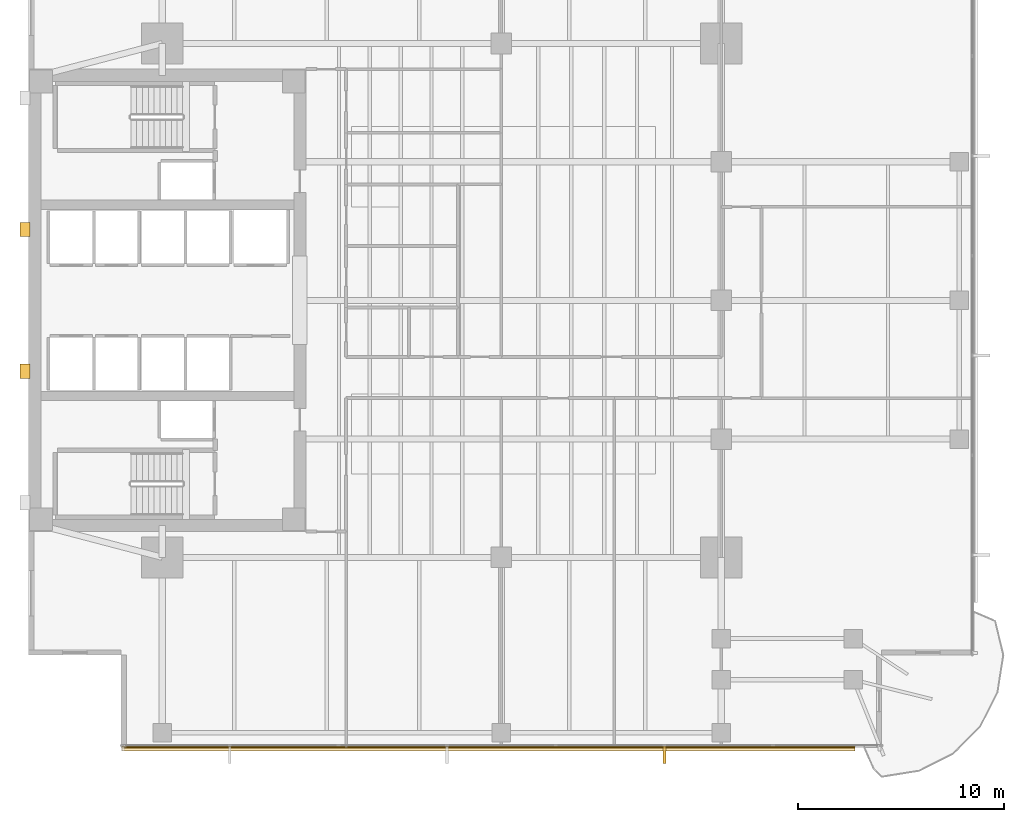
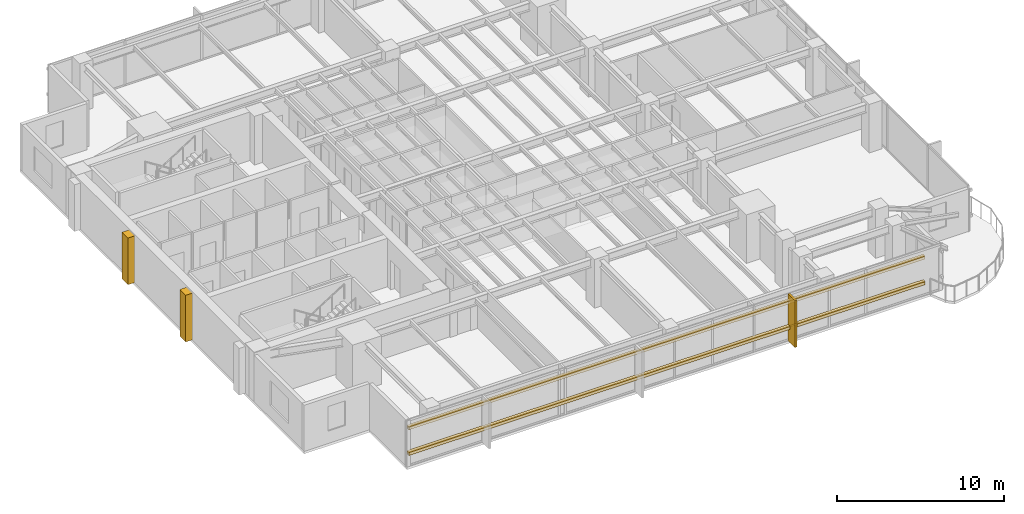
# One storey, part 12 of 15: 5 coverings, 2 shading devices.
"""IFC4 building model written with IfcOpenShell, lengths in metres."""

from ifc_helpers import new_model, si_unit, direction, frame, origin, origin_2d, place, context, subcontext, project, spatial, polyline, rectangle, outline, extrude, material, layer, layer_set, material_profile, profile_set, type_object, element, save


model = new_model("IFC4")

# Units and contexts
model_context = context("Model", 3, precision=1e-05, world=origin(), true_north=direction((0.0, 1.0)))
body_context = subcontext(model_context, "Body", "Model", "MODEL_VIEW")
ifc_project = project(units=[si_unit("LENGTHUNIT", "METRE"), si_unit("AREAUNIT", "SQUARE_METRE"), si_unit("VOLUMEUNIT", "CUBIC_METRE"), si_unit("PLANEANGLEUNIT", "RADIAN"), si_unit("MASSUNIT", "GRAM", prefix="KILO")], contexts=[model_context])

# Site, building, storey
site_placement = place(None, origin())
site = spatial("IfcSite", under=ifc_project, at=site_placement, CompositionType="ELEMENT")
building_placement = place(site_placement, origin())
building = spatial("IfcBuilding", under=site, at=building_placement, Name="Kinhvarn Gate Tower", CompositionType="ELEMENT")
storey_placement = place(building_placement, frame((0.0, 0.0, 109.35009765625)))
storey = spatial("IfcBuildingStorey", under=building, at=storey_placement, Name="L28", CompositionType="ELEMENT", Elevation=109.35009765625)

# Coverings
ifc_material_1 = material(Name="Fired architectural terracotta", Category="masonry")
ifc_layer_1 = layer(ifc_material_1, 0.239990234375)
ifc_layer_set_1 = layer_set([ifc_layer_1], Name="Fired architectural terracotta")
covering_type_1 = type_object("IfcCoveringType", Name="COV-BAG-220", PredefinedType="CLADDING", material=ifc_layer_set_1)
for number, where, name in (
    (1, (0.0, 0.0, 0.93994140625), "Terracotta Horizontal Sunscreen Band TBG-220 (L28)"),
    (2, (0.0, 0.0, 2.809814453125), "Terracotta Horizontal Sunscreen Band TBG-220 (L28)"),
):
    element("IfcCovering", number, at=place(storey_placement, frame(where)), inside=storey, type_object=covering_type_1, Name=name, PredefinedType="CLADDING", context=body_context, shape_type="SweptSolid", body=[
        extrude(outline(polyline([(9.0400390625, 3.570068359375), (44.698974609375, 3.570068359375), (44.698974609375, 3.330078125), (9.0400390625, 3.330078125), (9.0400390625, 3.570068359375)])), origin(), (0.0, 0.0, 1.0), 0.219970703125),
    ])
ifc_layer_2 = layer(ifc_material_1, 0.139892578125)
ifc_layer_set_2 = layer_set([ifc_layer_2], Name="Fired architectural terracotta")
covering_type_2 = type_object("IfcCoveringType", Name="COV-FIN-850", PredefinedType="CLADDING", material=ifc_layer_set_2)
covering_1_placement = place(storey_placement, frame((0.0, 0.0, -0.02001953125)))
element("IfcCovering", 3, at=covering_1_placement, inside=storey, type_object=covering_type_2, Name="Vertical Terracotta Expressive Fin TFN-850 (L28)", PredefinedType="CLADDING", context=body_context, shape_type="SweptSolid", body=[
    extrude(outline(polyline([(35.358642578125, 3.580078125), (35.49853515625, 3.580078125), (35.49853515625, 2.72998046875), (35.358642578125, 2.72998046875), (35.358642578125, 3.580078125)])), origin(), (0.0, 0.0, 1.0), 3.409912109375),
])
ifc_material_2 = material(Name="Precast white architectural concrete C40/50", Category="concrete")
ifc_layer_3 = layer(ifc_material_2, 0.47998046875)
ifc_layer_set_3 = layer_set([ifc_layer_3], Name="Precast white architectural concrete C40/50")
covering_type_3 = type_object("IfcCoveringType", Name="COV-RIB-450", PredefinedType="CLADDING", material=ifc_layer_set_3)
covering_2_placement = place(storey_placement, frame((0.0, 0.0, -0.02001953125)))
element("IfcCovering", 4, at=covering_2_placement, inside=storey, type_object=covering_type_3, Name="West Core Sculptural Concrete Relief Rib CRB-450 (L28)", PredefinedType="CLADDING", context=body_context, shape_type="SweptSolid", body=[
    extrude(outline(polyline([(4.080078125, 21.449951171875), (4.56005859375, 21.449951171875), (4.56005859375, 22.14990234375), (4.080078125, 22.14990234375), (4.080078125, 21.449951171875)])), origin(), (0.0, 0.0, 1.0), 3.409912109375),
])
covering_3_placement = place(storey_placement, frame((0.0, 0.0, -0.02001953125)))
element("IfcCovering", 5, at=covering_3_placement, inside=storey, type_object=covering_type_3, Name="West Core Sculptural Concrete Relief Rib CRB-450 (L28)", PredefinedType="CLADDING", context=body_context, shape_type="SweptSolid", body=[
    extrude(outline(polyline([(4.080078125, 28.35009765625), (4.56005859375, 28.35009765625), (4.56005859375, 29.050048828125), (4.080078125, 29.050048828125), (4.080078125, 28.35009765625)])), origin(), (0.0, 0.0, 1.0), 3.409912109375),
])

# Shading devices
ifc_material_profile = material_profile(ifc_material_1, rectangle(XDim=0.050048828125, YDim=0.1201171875, at=origin_2d()), Name="TC 50x120")
ifc_profile_set = profile_set([ifc_material_profile], Name="Fired architectural terracotta")
shading_device_type = type_object("IfcShadingDeviceType", Name="SHD-BAG-140", PredefinedType="USERDEFINED", material=ifc_profile_set)
for number, where, z_axis, x_axis, name in (
    (6, (9.0400390625, 3.5, 1.0498046875), (1.0, 0.0, 0.0), (0.0, 1.0, 0.0), "Upper Tower Terracotta Baguette Screen Rod 50x120 mm (L28)"),
    (7, (9.0400390625, 3.5, 2.919921875), (1.0, 0.0, 0.0), (0.0, 1.0, 0.0), "Upper Tower Terracotta Baguette Screen Rod 50x120 mm (L28)"),
):
    element("IfcShadingDevice", number, at=place(storey_placement, frame(where, z_axis=z_axis, x_axis=x_axis)), inside=storey, type_object=shading_device_type, Name=name, ObjectType="BAGUETTE", PredefinedType="USERDEFINED", context=body_context, shape_type="SweptSolid", body=[
        extrude(rectangle(XDim=0.050048828125, YDim=0.1201171875, at=origin_2d()), origin(), (0.0, 0.0, 1.0), 35.658935546875),
    ])

save(model, "model.ifc")
